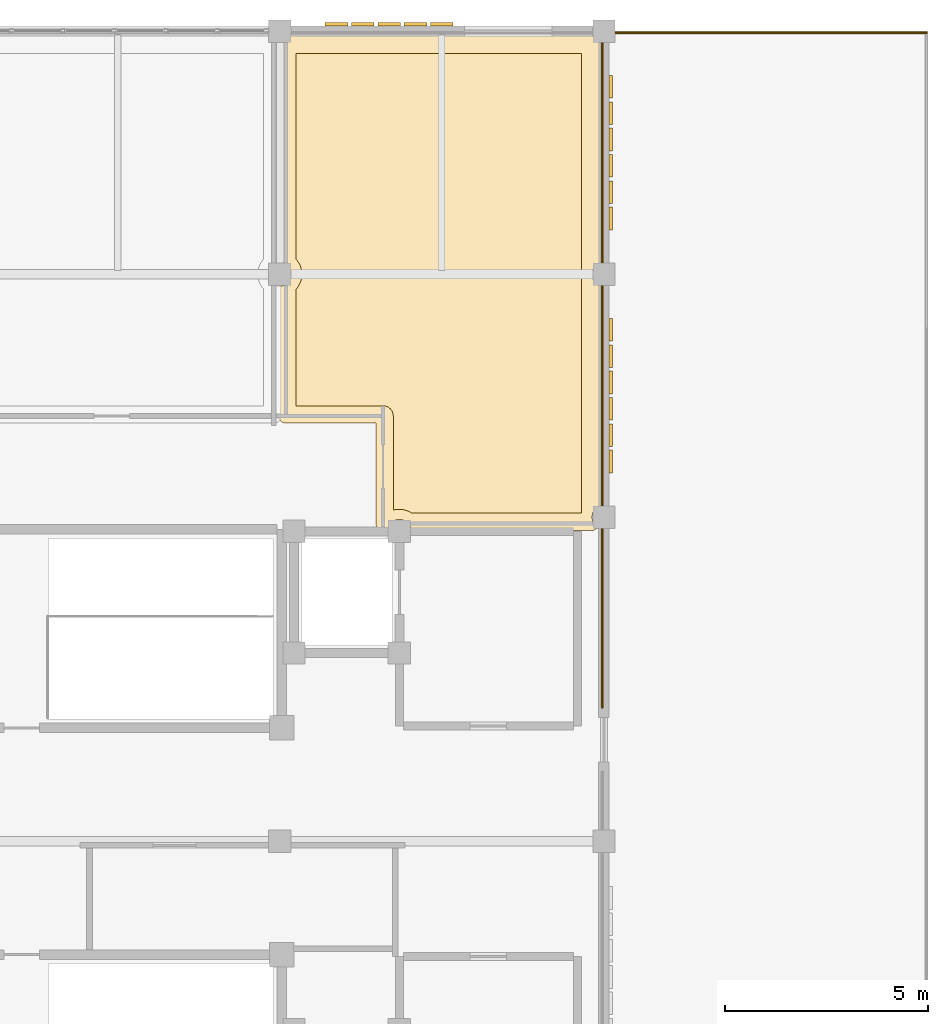
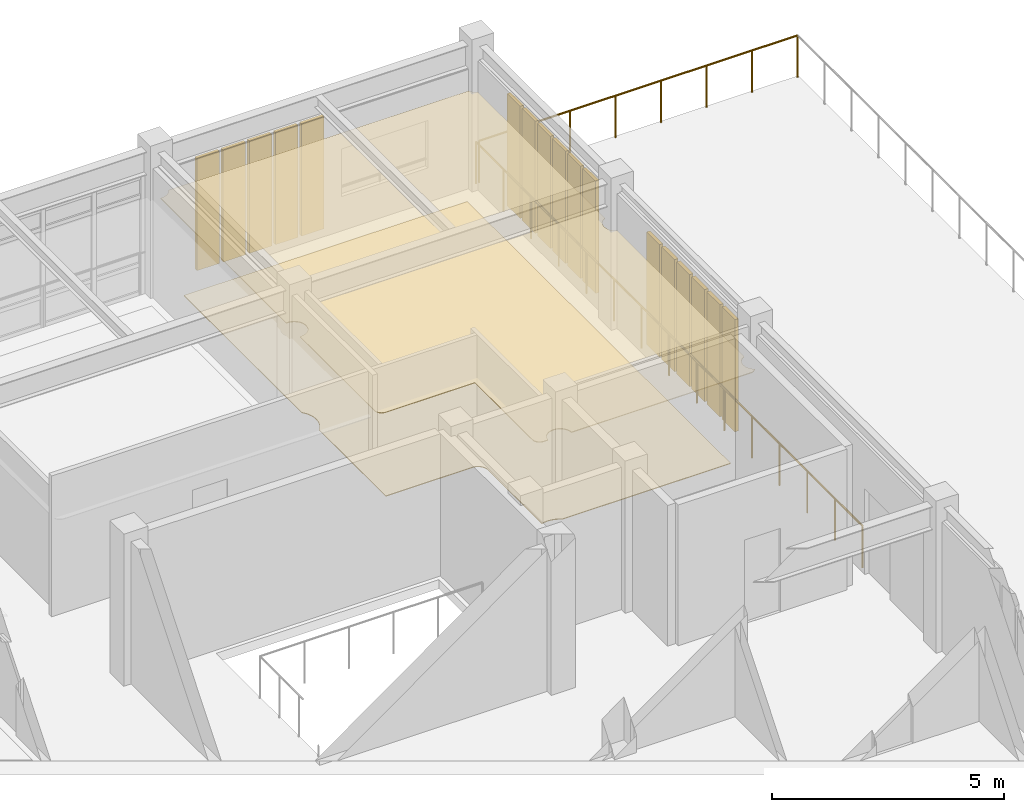
# One storey, part 11 of 11: 17 shading devices, 2 coverings, 2 railings.
"""IFC4 building model written with IfcOpenShell, lengths in metres."""

from ifc_helpers import new_model, si_unit, direction, frame, origin, origin_2d, place, context, subcontext, project, spatial, polyline, rectangle, circle, outline, extrude, material, layer, layer_set, type_object, element, save


model = new_model("IFC4")

# Units and contexts
model_context = context("Model", 3, precision=1e-05, world=origin(), true_north=direction((0.0, 1.0)))
body_context = subcontext(model_context, "Body", "Model", "MODEL_VIEW")
ifc_project = project(units=[si_unit("LENGTHUNIT", "METRE"), si_unit("AREAUNIT", "SQUARE_METRE"), si_unit("VOLUMEUNIT", "CUBIC_METRE"), si_unit("PLANEANGLEUNIT", "RADIAN"), si_unit("MASSUNIT", "GRAM", prefix="KILO")], contexts=[model_context])

# Site, building, storey
site_placement = place(None, origin())
site = spatial("IfcSite", under=ifc_project, at=site_placement, CompositionType="ELEMENT")
building_placement = place(site_placement, origin())
building = spatial("IfcBuilding", under=site, at=building_placement, Name="Celadon Cloister-Ring School", CompositionType="ELEMENT")
storey_placement = place(building_placement, frame((0.0, 0.0, 20.5)))
storey = spatial("IfcBuildingStorey", under=building, at=storey_placement, Name="L05", CompositionType="ELEMENT", Elevation=20.5)

# Coverings
ifc_material_1 = material(Name="Mineral-fibre acoustic ceiling board")
ifc_layer_1 = layer(ifc_material_1, 0.02001953125)
ifc_layer_set_1 = layer_set([ifc_layer_1], Name="Mineral-fibre acoustic ceiling board")
covering_type_1 = type_object("IfcCoveringType", Name="CV-CL1", PredefinedType="CEILING", material=ifc_layer_set_1)
covering_1_placement = place(storey_placement, frame((0.0, 0.0, 2.550048828125)))
element("IfcCovering", 1, at=covering_1_placement, inside=storey, type_object=covering_type_1, Name="Acoustic Ceiling 0034", PredefinedType="CEILING", context=body_context, shape_type="SweptSolid", body=[
    extrude(outline(polyline([(16.26904296875, 67.8798828125), (23.73193359375, 67.876953125), (23.791015625, 67.791015625), (23.876953125, 67.73193359375), (23.8798828125, 67.699951171875), (23.8798828125, 62.26904296875), (23.81298828125, 62.22802734375), (23.7548828125, 62.1640625), (23.718017578125, 62.0859375), (23.705078125, 62.0), (23.718017578125, 61.9140625), (23.7548828125, 61.8359375), (23.81298828125, 61.77197265625), (23.8798828125, 61.73095703125), (23.8798828125, 56.26904296875), (23.81298828125, 56.22802734375), (23.7548828125, 56.1640625), (23.718017578125, 56.0859375), (23.705078125, 56.0), (23.718017578125, 55.9140625), (23.739990234375, 55.861083984375), (23.791015625, 55.791015625), (23.847900390625, 55.748046875), (23.784912109375, 55.69091796875), (23.735107421875, 55.673095703125), (23.699951171875, 55.669921875), (19.243896484375, 55.669921875), (19.222900390625, 55.762939453125), (19.195068359375, 55.81396484375), (19.158935546875, 55.85888671875), (19.114013671875, 55.89501953125), (19.06298828125, 55.923095703125), (19.008056640625, 55.93896484375), (18.949951171875, 55.945068359375), (18.89208984375, 55.93896484375), (18.8369140625, 55.923095703125), (18.785888671875, 55.89501953125), (18.740966796875, 55.85888671875), (18.705078125, 55.81396484375), (18.677001953125, 55.762939453125), (18.656005859375, 55.669921875), (18.531982421875, 55.6708984375), (18.48095703125, 55.68408203125), (18.43603515625, 55.7109375), (18.39990234375, 55.75), (18.3779296875, 55.798095703125), (18.3701171875, 55.85009765625), (18.3701171875, 58.320068359375), (16.132080078125, 58.321044921875), (16.06494140625, 58.341064453125), (16.02294921875, 58.373046875), (15.990966796875, 58.4150390625), (15.972900390625, 58.465087890625), (15.969970703125, 61.70703125), (16.029052734375, 61.7060546875), (16.0859375, 61.718017578125), (16.138916015625, 61.739990234375), (16.18701171875, 61.77197265625), (16.22802734375, 61.81298828125), (16.260009765625, 61.861083984375), (16.281982421875, 61.9140625), (16.294921875, 62.0), (16.281982421875, 62.0859375), (16.260009765625, 62.138916015625), (16.22802734375, 62.18701171875), (16.18701171875, 62.22802734375), (16.138916015625, 62.260009765625), (16.0859375, 62.281982421875), (16.029052734375, 62.2939453125), (15.969970703125, 62.29296875), (15.969970703125, 67.70703125), (16.05810546875, 67.7109375), (16.138916015625, 67.739990234375), (16.208984375, 67.791015625), (16.2451171875, 67.8359375), (16.26904296875, 67.8798828125)])), origin(), (0.0, 0.0, 1.0), 0.02001953125),
])
ifc_material_2 = material(Name="Polished cement-marble terrazzo tile", Category="masonry")
ifc_layer_2 = layer(ifc_material_2, 0.01806640625)
ifc_layer_set_2 = layer_set([ifc_layer_2], Name="Polished cement-marble terrazzo tile")
covering_type_2 = type_object("IfcCoveringType", Name="CV-FL1", PredefinedType="FLOORING", material=ifc_layer_set_2)
covering_2_placement = place(storey_placement, origin())
element("IfcCovering", 2, at=covering_2_placement, inside=storey, type_object=covering_type_2, Name="Terrazzo Flooring 0033", PredefinedType="FLOORING", context=body_context, shape_type="SweptSolid", body=[
    extrude(outline(polyline([(16.39990234375, 61.6298828125), (16.4130859375, 61.64501953125), (16.428955078125, 61.6640625), (16.446044921875, 61.68701171875), (16.4599609375, 61.7080078125), (16.47509765625, 61.73193359375), (16.486083984375, 61.75390625), (16.4990234375, 61.780029296875), (16.508056640625, 61.802978515625), (16.51806640625, 61.830078125), (16.52490234375, 61.85400390625), (16.531982421875, 61.882080078125), (16.537109375, 61.906005859375), (16.541015625, 61.93408203125), (16.54296875, 61.958984375), (16.544921875, 61.988037109375), (16.544921875, 62.011962890625), (16.54296875, 62.041015625), (16.541015625, 62.06591796875), (16.537109375, 62.093994140625), (16.531982421875, 62.117919921875), (16.52490234375, 62.14599609375), (16.51806640625, 62.169921875), (16.508056640625, 62.197021484375), (16.4990234375, 62.219970703125), (16.486083984375, 62.24609375), (16.47509765625, 62.26806640625), (16.4599609375, 62.2919921875), (16.446044921875, 62.31298828125), (16.428955078125, 62.3359375), (16.4130859375, 62.35498046875), (16.39990234375, 62.3701171875), (16.39990234375, 67.449951171875), (23.449951171875, 67.449951171875), (23.449951171875, 56.10009765625), (19.257080078125, 56.10009765625), (19.241943359375, 56.110107421875), (19.218017578125, 56.125), (19.196044921875, 56.135986328125), (19.169921875, 56.14892578125), (19.14697265625, 56.157958984375), (19.1201171875, 56.16796875), (19.095947265625, 56.175048828125), (19.068115234375, 56.181884765625), (19.0439453125, 56.18701171875), (19.01611328125, 56.19091796875), (18.990966796875, 56.193115234375), (18.9619140625, 56.195068359375), (18.93798828125, 56.195068359375), (18.908935546875, 56.193115234375), (18.884033203125, 56.19091796875), (18.85595703125, 56.18701171875), (18.83203125, 56.181884765625), (18.803955078125, 56.175048828125), (18.800048828125, 56.174072265625), (18.800048828125, 58.5), (18.799072265625, 58.52490234375), (18.794921875, 58.549072265625), (18.7890625, 58.572998046875), (18.781005859375, 58.595947265625), (18.77001953125, 58.617919921875), (18.758056640625, 58.638916015625), (18.742919921875, 58.658935546875), (18.72705078125, 58.677001953125), (18.708984375, 58.693115234375), (18.68896484375, 58.7080078125), (18.66796875, 58.719970703125), (18.64599609375, 58.73095703125), (18.623046875, 58.739013671875), (18.59912109375, 58.7451171875), (18.574951171875, 58.7490234375), (18.550048828125, 58.75), (16.39990234375, 58.75), (16.39990234375, 61.6298828125)])), origin(), (0.0, 0.0, 1.0), 0.01806640625),
])

# Railings
ifc_material_3 = material(Name="Structural steel S355JR", Category="steel")
railing_type = type_object("IfcRailingType", Name="RL-BL1", PredefinedType="BALUSTRADE", material=ifc_material_3)
railing_1_placement = place(storey_placement, frame((23.9599609375, 51.30908203125, 0.0)))
element("IfcRailing", 3, at=railing_1_placement, inside=storey, type_object=railing_type, Name="Terrace Balustrade 0463", PredefinedType="BALUSTRADE", context=body_context, shape_type="SweptSolid", body=[
    extrude(circle(Radius=0.02392578125, at=origin_2d()), frame((0.0, 0.0, 1.09619140625), z_axis=(0.0, 1.0, 0.0), x_axis=(-1.0, 0.0, 0.0)), (0.0, 0.0, 1.0), 16.65087890625),
    extrude(circle(Radius=0.02099609375, at=origin_2d()), origin(), (0.0, 0.0, 1.0), 1.072021484375),
    extrude(circle(Radius=0.02099609375, at=origin_2d()), frame((0.0, 1.189453125, 0.0)), (0.0, 0.0, 1.0), 1.072021484375),
    extrude(circle(Radius=0.02099609375, at=origin_2d()), frame((0.0, 2.378662109375, 0.0)), (0.0, 0.0, 1.0), 1.072021484375),
    extrude(circle(Radius=0.02099609375, at=origin_2d()), frame((0.0, 3.568115234375, 0.0)), (0.0, 0.0, 1.0), 1.072021484375),
    extrude(circle(Radius=0.02099609375, at=origin_2d()), frame((0.0, 4.75732421875, 0.0)), (0.0, 0.0, 1.0), 1.072021484375),
    extrude(circle(Radius=0.02099609375, at=origin_2d()), frame((0.0, 5.94677734375, 0.0)), (0.0, 0.0, 1.0), 1.072021484375),
    extrude(circle(Radius=0.02099609375, at=origin_2d()), frame((0.0, 7.135986328125, 0.0)), (0.0, 0.0, 1.0), 1.072021484375),
    extrude(circle(Radius=0.02099609375, at=origin_2d()), frame((0.0, 8.325439453125, 0.0)), (0.0, 0.0, 1.0), 1.072021484375),
    extrude(circle(Radius=0.02099609375, at=origin_2d()), frame((0.0, 9.514892578125, 0.0)), (0.0, 0.0, 1.0), 1.072021484375),
    extrude(circle(Radius=0.02099609375, at=origin_2d()), frame((0.0, 10.7041015625, 0.0)), (0.0, 0.0, 1.0), 1.072021484375),
    extrude(circle(Radius=0.02099609375, at=origin_2d()), frame((0.0, 11.8935546875, 0.0)), (0.0, 0.0, 1.0), 1.072021484375),
    extrude(circle(Radius=0.02099609375, at=origin_2d()), frame((0.0, 13.082763671875, 0.0)), (0.0, 0.0, 1.0), 1.072021484375),
    extrude(circle(Radius=0.02099609375, at=origin_2d()), frame((0.0, 14.272216796875, 0.0)), (0.0, 0.0, 1.0), 1.072021484375),
    extrude(circle(Radius=0.02099609375, at=origin_2d()), frame((0.0, 15.46142578125, 0.0)), (0.0, 0.0, 1.0), 1.072021484375),
    extrude(circle(Radius=0.02099609375, at=origin_2d()), frame((0.0, 16.65087890625, 0.0)), (0.0, 0.0, 1.0), 1.072021484375),
])
railing_2_placement = place(storey_placement, frame((24.0400390625, 67.9599609375, 0.0)))
element("IfcRailing", 4, at=railing_2_placement, inside=storey, type_object=railing_type, Name="Terrace Balustrade 0469", PredefinedType="BALUSTRADE", context=body_context, shape_type="SweptSolid", body=[
    extrude(circle(Radius=0.02392578125, at=origin_2d()), frame((0.0, 0.0, 1.09619140625), z_axis=(1.0, 0.0, 0.0), x_axis=(0.0, 1.0, 0.0)), (0.0, 0.0, 1.0), 7.919921875),
    extrude(circle(Radius=0.02099609375, at=origin_2d()), origin(), (0.0, 0.0, 1.0), 1.072021484375),
    extrude(circle(Radius=0.02099609375, at=origin_2d()), frame((1.13134765625, 0.0, 0.0)), (0.0, 0.0, 1.0), 1.072021484375),
    extrude(circle(Radius=0.02099609375, at=origin_2d()), frame((2.262939453125, 0.0, 0.0)), (0.0, 0.0, 1.0), 1.072021484375),
    extrude(circle(Radius=0.02099609375, at=origin_2d()), frame((3.394287109375, 0.0, 0.0)), (0.0, 0.0, 1.0), 1.072021484375),
    extrude(circle(Radius=0.02099609375, at=origin_2d()), frame((4.525634765625, 0.0, 0.0)), (0.0, 0.0, 1.0), 1.072021484375),
    extrude(circle(Radius=0.02099609375, at=origin_2d()), frame((5.656982421875, 0.0, 0.0)), (0.0, 0.0, 1.0), 1.072021484375),
    extrude(circle(Radius=0.02099609375, at=origin_2d()), frame((6.78857421875, 0.0, 0.0)), (0.0, 0.0, 1.0), 1.072021484375),
    extrude(circle(Radius=0.02099609375, at=origin_2d()), frame((7.919921875, 0.0, 0.0)), (0.0, 0.0, 1.0), 1.072021484375),
])

# Shading devices
ifc_material_4 = material(Name="Glazed celadon architectural terracotta", Category="masonry")
shading_device_type = type_object("IfcShadingDeviceType", Name="SD-01", PredefinedType="USERDEFINED", material=ifc_material_4)
for number, where, z_axis, x_axis, name in (
    (5, (17.39990234375, 68.172119140625, 0.0), (0.0, 0.0, 1.0), (1.0, 0.0, 0.0), "Celadon Sunshade Screen 0357"),
    (6, (18.050048828125, 68.172119140625, 0.0), (0.0, 0.0, 1.0), (1.0, 0.0, 0.0), "Celadon Sunshade Screen 0358"),
    (7, (18.699951171875, 68.172119140625, 0.0), (0.0, 0.0, 1.0), (1.0, 0.0, 0.0), "Celadon Sunshade Screen 0359"),
    (8, (19.35009765625, 68.172119140625, 0.0), (0.0, 0.0, 1.0), (1.0, 0.0, 0.0), "Celadon Sunshade Screen 0360"),
    (9, (20.0, 68.172119140625, 0.0), (0.0, 0.0, 1.0), (1.0, 0.0, 0.0), "Celadon Sunshade Screen 0361"),
    (10, (24.172119140625, 66.625, 0.0), (0.0, 0.0, 1.0), (0.0, -1.0, 0.0), "Celadon Sunshade Screen 0362"),
    (11, (24.172119140625, 65.97509765625, 0.0), (0.0, 0.0, 1.0), (0.0, -1.0, 0.0), "Celadon Sunshade Screen 0363"),
    (12, (24.172119140625, 65.324951171875, 0.0), (0.0, 0.0, 1.0), (0.0, -1.0, 0.0), "Celadon Sunshade Screen 0364"),
    (13, (24.172119140625, 64.675048828125, 0.0), (0.0, 0.0, 1.0), (0.0, -1.0, 0.0), "Celadon Sunshade Screen 0365"),
    (14, (24.172119140625, 64.02490234375, 0.0), (0.0, 0.0, 1.0), (0.0, -1.0, 0.0), "Celadon Sunshade Screen 0366"),
    (15, (24.172119140625, 63.375, 0.0), (0.0, 0.0, 1.0), (0.0, -1.0, 0.0), "Celadon Sunshade Screen 0367"),
    (16, (24.172119140625, 60.625, 0.0), (0.0, 0.0, 1.0), (0.0, -1.0, 0.0), "Celadon Sunshade Screen 0368"),
    (17, (24.172119140625, 59.97509765625, 0.0), (0.0, 0.0, 1.0), (0.0, -1.0, 0.0), "Celadon Sunshade Screen 0369"),
    (18, (24.172119140625, 59.324951171875, 0.0), (0.0, 0.0, 1.0), (0.0, -1.0, 0.0), "Celadon Sunshade Screen 0370"),
    (19, (24.172119140625, 58.675048828125, 0.0), (0.0, 0.0, 1.0), (0.0, -1.0, 0.0), "Celadon Sunshade Screen 0371"),
    (20, (24.172119140625, 58.02490234375, 0.0), (0.0, 0.0, 1.0), (0.0, -1.0, 0.0), "Celadon Sunshade Screen 0372"),
    (21, (24.172119140625, 57.375, 0.0), (0.0, 0.0, 1.0), (0.0, -1.0, 0.0), "Celadon Sunshade Screen 0373"),
):
    element("IfcShadingDevice", number, at=place(storey_placement, frame(where, z_axis=z_axis, x_axis=x_axis)), inside=storey, type_object=shading_device_type, Name=name, ObjectType="SUNSHADE", PredefinedType="USERDEFINED", context=body_context, shape_type="SweptSolid", body=[
        extrude(rectangle(XDim=0.56005859375, YDim=0.090087890625, at=origin_2d()), origin(), (0.0, 0.0, 1.0), 2.949951171875),
    ])

save(model, "model.ifc")
